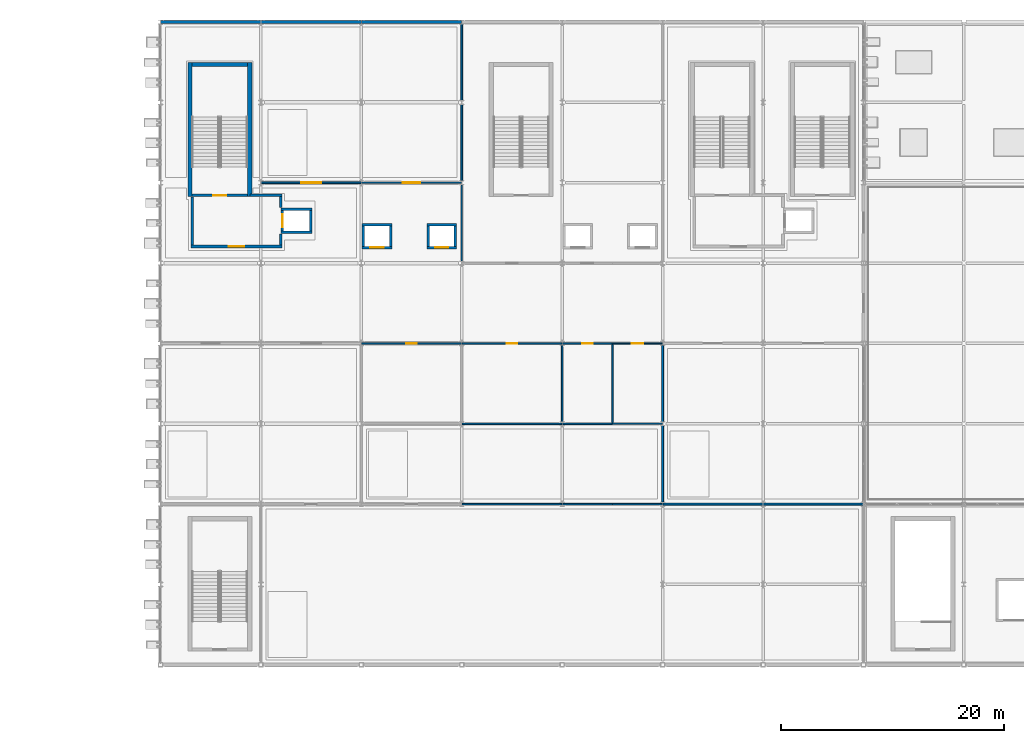
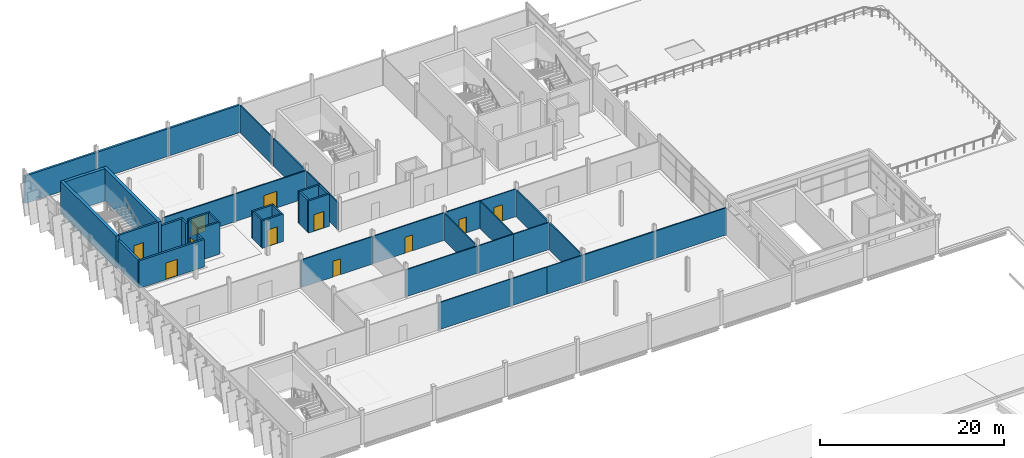
# One storey, part 66 of 78: 45 walls, 11 doors, 11 openings.
"""IFC4 building model written with IfcOpenShell, lengths in metres."""

from ifc_helpers import new_model, si_unit, direction, frame, frame_2d, origin, place, context, subcontext, project, spatial, rectangle, extrude, material, layer, layer_set, type_object, element, fill, save


model = new_model("IFC4")

# Units and contexts
model_context = context("Model", 3, precision=1e-05, world=origin(), true_north=direction((0.0, 1.0)))
body_context = subcontext(model_context, "Body", "Model", "MODEL_VIEW")
ifc_project = project(units=[si_unit("LENGTHUNIT", "METRE"), si_unit("AREAUNIT", "SQUARE_METRE"), si_unit("VOLUMEUNIT", "CUBIC_METRE"), si_unit("PLANEANGLEUNIT", "RADIAN"), si_unit("MASSUNIT", "GRAM", prefix="KILO")], contexts=[model_context])

# Site, building, storey
site_placement = place(None, origin())
site = spatial("IfcSite", under=ifc_project, at=site_placement, CompositionType="ELEMENT")
building_placement = place(site_placement, origin())
building = spatial("IfcBuilding", under=site, at=building_placement, Name="Celestram Park Convention Centre", CompositionType="ELEMENT")
storey_placement = place(building_placement, frame((0.0, 0.0, 19.800048828125)))
storey = spatial("IfcBuildingStorey", under=building, at=storey_placement, Name="L04", CompositionType="ELEMENT", Elevation=19.800048828125)

# Wall, opening, door
ifc_material_1 = material(Name="Concrete Block Masonry C25/30", Category="masonry")
ifc_layer_1 = layer(ifc_material_1, 0.25)
ifc_layer_set_1 = layer_set([ifc_layer_1], Name="Concrete Block Masonry C25/30")
wall_type_1 = type_object("IfcWallType", Name="ARC-WL-COR250", PredefinedType="STANDARD", material=ifc_layer_set_1)
wall_1_placement = place(storey_placement, frame((38.840087890625, 150.074951171875, 0.0), z_axis=(0.0, 0.0, 1.0), x_axis=(1.0, 0.0, 0.0)))
wall_1 = element("IfcWall", 1, at=wall_1_placement, inside=storey, type_object=wall_type_1, Name="Core C1 stair entrance wall", PredefinedType="STANDARD", context=body_context, shape_type="SweptSolid", body=[
    extrude(rectangle(XDim=4.9599609375, YDim=0.25, at=frame_2d((2.47998046875, 0.0))), origin(), (0.0, 0.0, 1.0), 4.25),
])
opening_1_placement = place(wall_1_placement, frame((1.905029296875, 0.0, 0.0)))
opening_1 = element("IfcOpeningElement", 2, at=opening_1_placement, cuts=wall_1, Name="Opening D-ST1", PredefinedType="OPENING", context=body_context, shape_type="SweptSolid", body=[
    extrude(rectangle(XDim=1.14990234375, YDim=2.199951171875, at=frame_2d((0.574951171875, 1.10009765625))), frame((0.0, 0.135009765625, 0.0), z_axis=(0.0, -1.0, 0.0), x_axis=(1.0, 0.0, 0.0)), (0.0, 0.0, 1.0), 0.27001953125),
])
ifc_material_2 = material(Name="Fire-Rated Hollow Metal Steel ASTM A653", Category="steel")
door_type_1 = type_object("IfcDoorType", Name="ARC-DR-ST115", OperationType="NOTDEFINED", PredefinedType="DOOR", material=ifc_material_2)
door_1_placement = place(opening_1_placement, origin())
door_1 = element("IfcDoor", 3, at=door_1_placement, inside=storey, type_object=door_type_1, Name="Exit stair ST-01 fire door", OperationType="SINGLE_SWING_RIGHT", OverallHeight=2.199951171875, OverallWidth=1.14990234375, PredefinedType="DOOR", context=body_context, shape_type="SweptSolid", body=[
    extrude(rectangle(XDim=1.14990234375, YDim=2.199951171875, at=frame_2d((0.574951171875, 1.10009765625))), frame((0.0, 0.02490234375, 0.0), z_axis=(0.0, -1.0, 0.0), x_axis=(1.0, 0.0, 0.0)), (0.0, 0.0, 1.0), 0.050048828125),
])
fill(opening_1, door_1)

# Wall
wall_2_placement = place(storey_placement, frame((38.840087890625, 149.93994140625, 0.0), z_axis=(0.0, 0.0, 1.0), x_axis=(0.0, -1.0, 0.0)))
element("IfcWall", 4, at=wall_2_placement, inside=storey, type_object=wall_type_1, Name="Firefighting Lift Lobby C1 W wall", PredefinedType="STANDARD", context=body_context, shape_type="SweptSolid", body=[
    extrude(rectangle(XDim=4.31494140625, YDim=0.25, at=frame_2d((2.157470703125, 0.0))), origin(), (0.0, 0.0, 1.0), 3.64794921875),
])

# Wall, opening, door
wall_3_placement = place(storey_placement, frame((38.715087890625, 145.5, 0.0), z_axis=(0.0, 0.0, 1.0), x_axis=(1.0, 0.0, 0.0)))
wall_3 = element("IfcWall", 5, at=wall_3_placement, inside=storey, type_object=wall_type_1, Name="Firefighting Lift Lobby C1 S wall", PredefinedType="STANDARD", context=body_context, shape_type="SweptSolid", body=[
    extrude(rectangle(XDim=8.18994140625, YDim=0.25, at=frame_2d((4.094970703125, 0.0))), origin(), (0.0, 0.0, 1.0), 3.64794921875),
])
opening_2_placement = place(wall_3_placement, frame((3.39501953125, 0.0, 0.0)))
opening_2 = element("IfcOpeningElement", 6, at=opening_2_placement, cuts=wall_3, Name="Opening D-LB1", PredefinedType="OPENING", context=body_context, shape_type="SweptSolid", body=[
    extrude(rectangle(XDim=1.39990234375, YDim=2.199951171875, at=frame_2d((0.699951171875, 1.10009765625))), frame((0.0, 0.135009765625, 0.0), z_axis=(0.0, -1.0, 0.0), x_axis=(1.0, 0.0, 0.0)), (0.0, 0.0, 1.0), 0.27001953125),
])
ifc_material_3 = material(Name="Fire-Rated Glazed Steel Frame", Category="steel")
door_type_2 = type_object("IfcDoorType", Name="ARC-DR-LB140", OperationType="NOTDEFINED", PredefinedType="DOOR", material=ifc_material_3)
door_2_placement = place(opening_2_placement, origin())
door_2 = element("IfcDoor", 7, at=door_2_placement, inside=storey, type_object=door_type_2, Name="Firefighting Lift Lobby C1 fire door", OperationType="SINGLE_SWING_RIGHT", OverallHeight=2.199951171875, OverallWidth=1.39990234375, PredefinedType="DOOR", context=body_context, shape_type="SweptSolid", body=[
    extrude(rectangle(XDim=1.39990234375, YDim=2.199951171875, at=frame_2d((0.699951171875, 1.10009765625))), frame((0.0, 0.02490234375, 0.0), z_axis=(0.0, -1.0, 0.0), x_axis=(1.0, 0.0, 0.0)), (0.0, 0.0, 1.0), 0.050048828125),
])
fill(opening_2, door_2)

# Walls
wall_4_placement = place(storey_placement, frame((46.780029296875, 145.625, 0.0), z_axis=(0.0, 0.0, 1.0), x_axis=(0.0, 1.0, 0.0)))
element("IfcWall", 8, at=wall_4_placement, inside=storey, type_object=wall_type_1, Name="Firefighting Lift Lobby C1 ES wall", PredefinedType="STANDARD", context=body_context, shape_type="SweptSolid", body=[
    extrude(rectangle(XDim=0.97509765625, YDim=0.25, at=frame_2d((0.487548828125, 0.0))), origin(), (0.0, 0.0, 1.0), 3.64794921875),
])
wall_5_placement = place(storey_placement, frame((46.780029296875, 149.0, 0.0), z_axis=(0.0, 0.0, 1.0), x_axis=(0.0, 1.0, 0.0)))
element("IfcWall", 9, at=wall_5_placement, inside=storey, type_object=wall_type_1, Name="Firefighting Lift Lobby C1 EN wall", PredefinedType="STANDARD", context=body_context, shape_type="SweptSolid", body=[
    extrude(rectangle(XDim=0.949951171875, YDim=0.25, at=frame_2d((0.47509765625, 0.0))), origin(), (0.0, 0.0, 1.0), 3.64794921875),
])
wall_6_placement = place(storey_placement, frame((44.0, 150.074951171875, 0.0), z_axis=(0.0, 0.0, 1.0), x_axis=(1.0, 0.0, 0.0)))
element("IfcWall", 10, at=wall_6_placement, inside=storey, type_object=wall_type_1, Name="Firefighting Lift Lobby C1 N wall", PredefinedType="STANDARD", context=body_context, shape_type="SweptSolid", body=[
    extrude(rectangle(XDim=2.905029296875, YDim=0.25, at=frame_2d((1.45263671875, 0.0))), origin(), (0.0, 0.0, 1.0), 3.64794921875),
])
ifc_material_4 = material(Name="Precast Concrete C40/50", Category="concrete")
ifc_layer_2 = layer(ifc_material_4, 0.260009765625)
ifc_layer_set_2 = layer_set([ifc_layer_2], Name="Precast Concrete C40/50")
wall_type_2 = type_object("IfcWallType", Name="ARC-WL-EXT260", PredefinedType="STANDARD", material=ifc_layer_set_2)
for number, where, z_axis, x_axis, name in (
    (11, (36.006103515625, 165.60009765625, 0.0), (0.0, 0.0, 1.0), (1.0, 0.0, 0.0), "Bush-hammered precast exterior wall WL-L04-EW226"),
    (12, (45.006103515625, 165.60009765625, 0.0), (0.0, 0.0, 1.0), (1.0, 0.0, 0.0), "Bush-hammered precast exterior wall WL-L04-EW227"),
    (13, (54.006103515625, 165.60009765625, 0.0), (0.0, 0.0, 1.0), (1.0, 0.0, 0.0), "Bush-hammered precast exterior wall WL-L04-EW228"),
):
    element("IfcWall", number, at=place(storey_placement, frame(where, z_axis=z_axis, x_axis=x_axis)), inside=storey, type_object=wall_type_2, Name=name, PredefinedType="STANDARD", context=body_context, shape_type="SweptSolid", body=[
        extrude(rectangle(XDim=8.98779296875, YDim=0.260009765625, at=frame_2d((4.493896484375, 0.0))), origin(), (0.0, 0.0, 1.0), 3.64794921875),
    ])
ifc_material_5 = material(Name="Standard Gypsum & Steel Stud 120 mm", Category="steel")
ifc_layer_3 = layer(ifc_material_5, 0.1201171875)
ifc_layer_set_3 = layer_set([ifc_layer_3], Name="Standard Gypsum & Steel Stud 120 mm")
wall_type_3 = type_object("IfcWallType", Name="ARC-WL-PRT120", PredefinedType="PARTITIONING", material=ifc_layer_set_3)
wall_7_placement = place(storey_placement, frame((63.006103515625, 122.39990234375, 0.0), z_axis=(0.0, 0.0, 1.0), x_axis=(1.0, 0.0, 0.0)))
element("IfcWall", 14, at=wall_7_placement, inside=storey, type_object=wall_type_3, Name="Interior partition WL-L04-IN0946", PredefinedType="PARTITIONING", context=body_context, shape_type="SweptSolid", body=[
    extrude(rectangle(XDim=8.989013671875, YDim=0.1201171875, at=frame_2d((4.49462890625, 0.0))), origin(), (0.0, 0.0, 1.0), 3.587890625),
])
for number, where, z_axis, x_axis, name in (
    (15, (72.0048828125, 122.39990234375, 0.0), (0.0, 0.0, 1.0), (1.0, 0.0, 0.0), "Interior partition WL-L04-IN0947"),
    (16, (76.5, 122.39990234375, 0.0), (0.0, 0.0, 1.0), (1.0, 0.0, 0.0), "Interior partition WL-L04-IN0948"),
    (17, (76.5, 129.60009765625, 0.0), (0.0, 0.0, 1.0), (1.0, 0.0, 0.0), "Interior partition WL-L04-IN0954"),
):
    element("IfcWall", number, at=place(storey_placement, frame(where, z_axis=z_axis, x_axis=x_axis)), inside=storey, type_object=wall_type_3, Name=name, PredefinedType="PARTITIONING", context=body_context, shape_type="SweptSolid", body=[
        extrude(rectangle(XDim=4.4951171875, YDim=0.1201171875, at=frame_2d((2.24755859375, 0.0))), origin(), (0.0, 0.0, 1.0), 3.587890625),
    ])

# Wall, opening, door
wall_8_placement = place(storey_placement, frame((76.5, 136.800048828125, 0.0), z_axis=(0.0, 0.0, 1.0), x_axis=(1.0, 0.0, 0.0)))
wall_8 = element("IfcWall", 18, at=wall_8_placement, inside=storey, type_object=wall_type_3, Name="Interior partition WL-L04-IN0960", PredefinedType="PARTITIONING", context=body_context, shape_type="SweptSolid", body=[
    extrude(rectangle(XDim=4.4951171875, YDim=0.1201171875, at=frame_2d((2.24755859375, 0.0))), origin(), (0.0, 0.0, 1.0), 3.64794921875),
])
opening_3_placement = place(wall_8_placement, frame((1.722412109375, 0.0, 0.0)))
opening_3 = element("IfcOpeningElement", 19, at=opening_3_placement, cuts=wall_8, Name="Opening D-06", PredefinedType="OPENING", context=body_context, shape_type="SweptSolid", body=[
    extrude(rectangle(XDim=1.050048828125, YDim=2.14990234375, at=frame_2d((0.52490234375, 1.074951171875))), frame((0.0, 0.070068359375, 0.0), z_axis=(0.0, -1.0, 0.0), x_axis=(1.0, 0.0, 0.0)), (0.0, 0.0, 1.0), 0.14013671875),
])
ifc_material_6 = material(Name="Solid Core White Oak Single Door", Category="wood")
door_type_3 = type_object("IfcDoorType", Name="ARC-DR-RM105", OperationType="NOTDEFINED", PredefinedType="DOOR", material=ifc_material_6)
door_3_placement = place(opening_3_placement, origin())
door_3 = element("IfcDoor", 20, at=door_3_placement, inside=storey, type_object=door_type_3, Name="Wellness & Nursing Suite L04 entrance door", OperationType="SINGLE_SWING_RIGHT", OverallHeight=2.14990234375, OverallWidth=1.050048828125, PredefinedType="DOOR", context=body_context, shape_type="SweptSolid", body=[
    extrude(rectangle(XDim=1.050048828125, YDim=2.14990234375, at=frame_2d((0.52490234375, 1.074951171875))), frame((0.0, 0.02490234375, 0.0), z_axis=(0.0, -1.0, 0.0), x_axis=(1.0, 0.0, 0.0)), (0.0, 0.0, 1.0), 0.050048828125),
])
fill(opening_3, door_3)

# Walls
wall_9_placement = place(storey_placement, frame((63.0, 144.1845703125, 0.0), z_axis=(0.0, 0.0, 1.0), x_axis=(0.0, 1.0, 0.0)))
element("IfcWall", 21, at=wall_9_placement, inside=storey, type_object=wall_type_3, Name="Interior partition WL-L04-IN0973", PredefinedType="PARTITIONING", context=body_context, shape_type="SweptSolid", body=[
    extrude(rectangle(XDim=6.830810546875, YDim=0.1201171875, at=frame_2d((3.41552734375, 0.0))), origin(), (0.0, 0.0, 1.0), 3.64794921875),
])
ifc_material_7 = material(Name="Moisture-Resistant Gypsum Partition 140 mm", Category="gypsum")
ifc_layer_4 = layer(ifc_material_7, 0.139892578125)
ifc_layer_set_4 = layer_set([ifc_layer_4], Name="Moisture-Resistant Gypsum Partition 140 mm")
wall_type_4 = type_object("IfcWallType", Name="ARC-WL-PRT140", PredefinedType="PARTITIONING", material=ifc_layer_set_4)
wall_10_placement = place(storey_placement, frame((63.006103515625, 129.60009765625, 0.0), z_axis=(0.0, 0.0, 1.0), x_axis=(1.0, 0.0, 0.0)))
element("IfcWall", 22, at=wall_10_placement, inside=storey, type_object=wall_type_4, Name="Interior partition WL-L04-IN0952", PredefinedType="PARTITIONING", context=body_context, shape_type="SweptSolid", body=[
    extrude(rectangle(XDim=8.989013671875, YDim=0.139892578125, at=frame_2d((4.49462890625, 0.0))), origin(), (0.0, 0.0, 1.0), 3.587890625),
])
wall_11_placement = place(storey_placement, frame((72.0048828125, 129.60009765625, 0.0), z_axis=(0.0, 0.0, 1.0), x_axis=(1.0, 0.0, 0.0)))
element("IfcWall", 23, at=wall_11_placement, inside=storey, type_object=wall_type_4, Name="Interior partition WL-L04-IN0953", PredefinedType="PARTITIONING", context=body_context, shape_type="SweptSolid", body=[
    extrude(rectangle(XDim=4.4951171875, YDim=0.139892578125, at=frame_2d((2.24755859375, 0.0))), origin(), (0.0, 0.0, 1.0), 3.587890625),
])

# Wall, opening, door
wall_12_placement = place(storey_placement, frame((54.006103515625, 136.800048828125, 0.0), z_axis=(0.0, 0.0, 1.0), x_axis=(1.0, 0.0, 0.0)))
wall_12 = element("IfcWall", 24, at=wall_12_placement, inside=storey, type_object=wall_type_4, Name="Interior partition WL-L04-IN0957", PredefinedType="PARTITIONING", context=body_context, shape_type="SweptSolid", body=[
    extrude(rectangle(XDim=8.98779296875, YDim=0.139892578125, at=frame_2d((4.493896484375, 0.0))), origin(), (0.0, 0.0, 1.0), 3.64794921875),
])
opening_4_placement = place(wall_12_placement, frame((4.018798828125, 0.0, 0.0)))
opening_4 = element("IfcOpeningElement", 25, at=opening_4_placement, cuts=wall_12, Name="Opening D-08", PredefinedType="OPENING", context=body_context, shape_type="SweptSolid", body=[
    extrude(rectangle(XDim=0.949951171875, YDim=2.10009765625, at=frame_2d((0.47509765625, 1.050048828125))), frame((0.0, 0.079833984375, 0.0), z_axis=(0.0, -1.0, 0.0), x_axis=(1.0, 0.0, 0.0)), (0.0, 0.0, 1.0), 0.159912109375),
])
ifc_material_8 = material(Name="Laminate Moisture-Resistant Restroom Door", Category="wood")
door_type_4 = type_object("IfcDoorType", Name="ARC-DR-WC095", OperationType="NOTDEFINED", PredefinedType="DOOR", material=ifc_material_8)
door_4_placement = place(opening_4_placement, origin())
door_4 = element("IfcDoor", 26, at=door_4_placement, inside=storey, type_object=door_type_4, Name="Men Restroom L04 entrance door", OperationType="SINGLE_SWING_LEFT", OverallHeight=2.10009765625, OverallWidth=0.949951171875, PredefinedType="DOOR", context=body_context, shape_type="SweptSolid", body=[
    extrude(rectangle(XDim=0.949951171875, YDim=2.10009765625, at=frame_2d((0.47509765625, 1.050048828125))), frame((0.0, 0.02490234375, 0.0), z_axis=(0.0, -1.0, 0.0), x_axis=(1.0, 0.0, 0.0)), (0.0, 0.0, 1.0), 0.050048828125),
])
fill(opening_4, door_4)

wall_13_placement = place(storey_placement, frame((63.006103515625, 136.800048828125, 0.0), z_axis=(0.0, 0.0, 1.0), x_axis=(1.0, 0.0, 0.0)))
wall_13 = element("IfcWall", 27, at=wall_13_placement, inside=storey, type_object=wall_type_4, Name="Interior partition WL-L04-IN0958", PredefinedType="PARTITIONING", context=body_context, shape_type="SweptSolid", body=[
    extrude(rectangle(XDim=8.989013671875, YDim=0.139892578125, at=frame_2d((4.49462890625, 0.0))), origin(), (0.0, 0.0, 1.0), 3.64794921875),
])
opening_5_placement = place(wall_13_placement, frame((4.019287109375, 0.0, 0.0)))
opening_5 = element("IfcOpeningElement", 28, at=opening_5_placement, cuts=wall_13, Name="Opening D-08", PredefinedType="OPENING", context=body_context, shape_type="SweptSolid", body=[
    extrude(rectangle(XDim=0.949951171875, YDim=2.10009765625, at=frame_2d((0.47509765625, 1.050048828125))), frame((0.0, 0.079833984375, 0.0), z_axis=(0.0, -1.0, 0.0), x_axis=(1.0, 0.0, 0.0)), (0.0, 0.0, 1.0), 0.159912109375),
])
door_5_placement = place(opening_5_placement, origin())
door_5 = element("IfcDoor", 29, at=door_5_placement, inside=storey, type_object=door_type_4, Name="Women Restroom L04 entrance door", OperationType="SINGLE_SWING_RIGHT", OverallHeight=2.10009765625, OverallWidth=0.949951171875, PredefinedType="DOOR", context=body_context, shape_type="SweptSolid", body=[
    extrude(rectangle(XDim=0.949951171875, YDim=2.10009765625, at=frame_2d((0.47509765625, 1.050048828125))), frame((0.0, 0.02490234375, 0.0), z_axis=(0.0, -1.0, 0.0), x_axis=(1.0, 0.0, 0.0)), (0.0, 0.0, 1.0), 0.050048828125),
])
fill(opening_5, door_5)

wall_14_placement = place(storey_placement, frame((72.0048828125, 136.800048828125, 0.0), z_axis=(0.0, 0.0, 1.0), x_axis=(1.0, 0.0, 0.0)))
wall_14 = element("IfcWall", 30, at=wall_14_placement, inside=storey, type_object=wall_type_4, Name="Interior partition WL-L04-IN0959", PredefinedType="PARTITIONING", context=body_context, shape_type="SweptSolid", body=[
    extrude(rectangle(XDim=4.4951171875, YDim=0.139892578125, at=frame_2d((2.24755859375, 0.0))), origin(), (0.0, 0.0, 1.0), 3.64794921875),
])
opening_6_placement = place(wall_14_placement, frame((1.7724609375, 0.0, 0.0)))
opening_6 = element("IfcOpeningElement", 31, at=opening_6_placement, cuts=wall_14, Name="Opening D-08", PredefinedType="OPENING", context=body_context, shape_type="SweptSolid", body=[
    extrude(rectangle(XDim=0.949951171875, YDim=2.10009765625, at=frame_2d((0.47509765625, 1.050048828125))), frame((0.0, 0.079833984375, 0.0), z_axis=(0.0, -1.0, 0.0), x_axis=(1.0, 0.0, 0.0)), (0.0, 0.0, 1.0), 0.159912109375),
])
door_6_placement = place(opening_6_placement, origin())
door_6 = element("IfcDoor", 32, at=door_6_placement, inside=storey, type_object=door_type_4, Name="Accessible Restroom L04 entrance door", OperationType="SINGLE_SWING_LEFT", OverallHeight=2.10009765625, OverallWidth=0.949951171875, PredefinedType="DOOR", context=body_context, shape_type="SweptSolid", body=[
    extrude(rectangle(XDim=0.949951171875, YDim=2.10009765625, at=frame_2d((0.47509765625, 1.050048828125))), frame((0.0, 0.02490234375, 0.0), z_axis=(0.0, -1.0, 0.0), x_axis=(1.0, 0.0, 0.0)), (0.0, 0.0, 1.0), 0.050048828125),
])
fill(opening_6, door_6)

# Walls
wall_15_placement = place(storey_placement, frame((72.0, 129.77587890625, 0.0), z_axis=(0.0, 0.0, 1.0), x_axis=(0.0, 1.0, 0.0)))
element("IfcWall", 33, at=wall_15_placement, inside=storey, type_object=wall_type_4, Name="Interior partition WL-L04-IN0976", PredefinedType="PARTITIONING", context=body_context, shape_type="SweptSolid", body=[
    extrude(rectangle(XDim=6.84814453125, YDim=0.139892578125, at=frame_2d((3.424072265625, 0.0))), origin(), (0.0, 0.0, 1.0), 3.587890625),
])
wall_16_placement = place(storey_placement, frame((76.5, 129.60009765625, 0.0), z_axis=(0.0, 0.0, 1.0), x_axis=(0.0, 1.0, 0.0)))
element("IfcWall", 34, at=wall_16_placement, inside=storey, type_object=wall_type_4, Name="Interior partition WL-L04-IN0977", PredefinedType="PARTITIONING", context=body_context, shape_type="SweptSolid", body=[
    extrude(rectangle(XDim=7.199951171875, YDim=0.139892578125, at=frame_2d((3.60009765625, 0.0))), origin(), (0.0, 0.0, 1.0), 3.587890625),
])
ifc_material_9 = material(Name="Acoustic Gypsum & Steel Stud 160 mm", Category="steel")
ifc_layer_5 = layer(ifc_material_9, 0.159912109375)
ifc_layer_set_5 = layer_set([ifc_layer_5], Name="Acoustic Gypsum & Steel Stud 160 mm")
wall_type_5 = type_object("IfcWallType", Name="ARC-WL-PRT160", PredefinedType="PARTITIONING", material=ifc_layer_set_5)
for number, where, z_axis, x_axis, name in (
    (35, (81.0048828125, 122.39990234375, 0.0), (0.0, 0.0, 1.0), (1.0, 0.0, 0.0), "Interior partition WL-L04-IN0949"),
    (36, (90.0048828125, 122.39990234375, 0.0), (0.0, 0.0, 1.0), (1.0, 0.0, 0.0), "Interior partition WL-L04-IN0950"),
):
    element("IfcWall", number, at=place(storey_placement, frame(where, z_axis=z_axis, x_axis=x_axis)), inside=storey, type_object=wall_type_5, Name=name, PredefinedType="PARTITIONING", context=body_context, shape_type="SweptSolid", body=[
        extrude(rectangle(XDim=8.990234375, YDim=0.159912109375, at=frame_2d((4.4951171875, 0.0))), origin(), (0.0, 0.0, 1.0), 3.587890625),
    ])

# Wall, opening, door
wall_17_placement = place(storey_placement, frame((45.006103515625, 151.199951171875, 0.0), z_axis=(0.0, 0.0, 1.0), x_axis=(1.0, 0.0, 0.0)))
wall_17 = element("IfcWall", 37, at=wall_17_placement, inside=storey, type_object=wall_type_5, Name="Interior partition WL-L04-IN0966", PredefinedType="PARTITIONING", context=body_context, shape_type="SweptSolid", body=[
    extrude(rectangle(XDim=8.98779296875, YDim=0.159912109375, at=frame_2d((4.493896484375, 0.0))), origin(), (0.0, 0.0, 1.0), 3.64794921875),
])
opening_7_placement = place(wall_17_placement, frame((3.59375, 0.0, 0.0)))
opening_7 = element("IfcOpeningElement", 38, at=opening_7_placement, cuts=wall_17, Name="Opening D-04", PredefinedType="OPENING", context=body_context, shape_type="SweptSolid", body=[
    extrude(rectangle(XDim=1.800048828125, YDim=2.25, at=frame_2d((0.89990234375, 1.125))), frame((0.0, 0.08984375, 0.0), z_axis=(0.0, -1.0, 0.0), x_axis=(1.0, 0.0, 0.0)), (0.0, 0.0, 1.0), 0.179931640625),
])
ifc_material_10 = material(Name="Solid White Oak Acoustic Double Door", Category="wood")
door_type_5 = type_object("IfcDoorType", Name="ARC-DR-MTG180", OperationType="NOTDEFINED", PredefinedType="DOOR", material=ifc_material_10)
door_7_placement = place(opening_7_placement, origin())
door_7 = element("IfcDoor", 39, at=door_7_placement, inside=storey, type_object=door_type_5, Name="Show Administration Office West entrance door", OperationType="DOUBLE_DOOR_SINGLE_SWING", OverallHeight=2.25, OverallWidth=1.800048828125, PredefinedType="DOOR", context=body_context, shape_type="SweptSolid", body=[
    extrude(rectangle(XDim=1.800048828125, YDim=2.25, at=frame_2d((0.89990234375, 1.125))), frame((0.0, 0.02490234375, 0.0), z_axis=(0.0, -1.0, 0.0), x_axis=(1.0, 0.0, 0.0)), (0.0, 0.0, 1.0), 0.050048828125),
])
fill(opening_7, door_7)

wall_18_placement = place(storey_placement, frame((54.006103515625, 151.199951171875, 0.0), z_axis=(0.0, 0.0, 1.0), x_axis=(1.0, 0.0, 0.0)))
wall_18 = element("IfcWall", 40, at=wall_18_placement, inside=storey, type_object=wall_type_5, Name="Interior partition WL-L04-IN0967", PredefinedType="PARTITIONING", context=body_context, shape_type="SweptSolid", body=[
    extrude(rectangle(XDim=8.98779296875, YDim=0.159912109375, at=frame_2d((4.493896484375, 0.0))), origin(), (0.0, 0.0, 1.0), 3.64794921875),
])
opening_8_placement = place(wall_18_placement, frame((3.69384765625, 0.0, 0.0)))
opening_8 = element("IfcOpeningElement", 41, at=opening_8_placement, cuts=wall_18, Name="Opening D-05", PredefinedType="OPENING", context=body_context, shape_type="SweptSolid", body=[
    extrude(rectangle(XDim=1.60009765625, YDim=2.199951171875, at=frame_2d((0.800048828125, 1.10009765625))), frame((0.0, 0.08984375, 0.0), z_axis=(0.0, -1.0, 0.0), x_axis=(1.0, 0.0, 0.0)), (0.0, 0.0, 1.0), 0.179931640625),
])
ifc_material_11 = material(Name="Solid White Oak Double Door", Category="wood")
door_type_6 = type_object("IfcDoorType", Name="ARC-DR-MTG160", OperationType="NOTDEFINED", PredefinedType="DOOR", material=ifc_material_11)
door_8_placement = place(opening_8_placement, origin())
door_8 = element("IfcDoor", 42, at=door_8_placement, inside=storey, type_object=door_type_6, Name="Show Administration Office West entrance door", OperationType="DOUBLE_DOOR_SINGLE_SWING", OverallHeight=2.199951171875, OverallWidth=1.60009765625, PredefinedType="DOOR", context=body_context, shape_type="SweptSolid", body=[
    extrude(rectangle(XDim=1.60009765625, YDim=2.199951171875, at=frame_2d((0.800048828125, 1.10009765625))), frame((0.0, 0.02490234375, 0.0), z_axis=(0.0, -1.0, 0.0), x_axis=(1.0, 0.0, 0.0)), (0.0, 0.0, 1.0), 0.050048828125),
])
fill(opening_8, door_8)

# Walls
for number, where, z_axis, x_axis, name in (
    (43, (63.0, 151.384521484375, 0.0), (0.0, 0.0, 1.0), (0.0, 1.0, 0.0), "Interior partition WL-L04-IN0974"),
    (44, (63.0, 158.58447265625, 0.0), (0.0, 0.0, 1.0), (0.0, 1.0, 0.0), "Interior partition WL-L04-IN0975"),
):
    element("IfcWall", number, at=place(storey_placement, frame(where, z_axis=z_axis, x_axis=x_axis)), inside=storey, type_object=wall_type_5, Name=name, PredefinedType="PARTITIONING", context=body_context, shape_type="SweptSolid", body=[
        extrude(rectangle(XDim=6.8310546875, YDim=0.159912109375, at=frame_2d((3.41552734375, 0.0))), origin(), (0.0, 0.0, 1.0), 3.64794921875),
    ])
for number, where, z_axis, x_axis, name in (
    (45, (81.0, 122.575927734375, 0.0), (0.0, 0.0, 1.0), (0.0, 1.0, 0.0), "Interior partition WL-L04-IN0978"),
    (46, (81.0, 129.77587890625, 0.0), (0.0, 0.0, 1.0), (0.0, 1.0, 0.0), "Interior partition WL-L04-IN0979"),
):
    element("IfcWall", number, at=place(storey_placement, frame(where, z_axis=z_axis, x_axis=x_axis)), inside=storey, type_object=wall_type_5, Name=name, PredefinedType="PARTITIONING", context=body_context, shape_type="SweptSolid", body=[
        extrude(rectangle(XDim=6.84814453125, YDim=0.159912109375, at=frame_2d((3.424072265625, 0.0))), origin(), (0.0, 0.0, 1.0), 3.587890625),
    ])
ifc_layer_6 = layer(ifc_material_1, 0.219970703125)
ifc_layer_set_6 = layer_set([ifc_layer_6], Name="Concrete Block Masonry C25/30")
wall_type_6 = type_object("IfcWallType", Name="ARC-WL-SHF220", PredefinedType="STANDARD", material=ifc_layer_set_6)
for number, where, z_axis, x_axis, name in (
    (47, (46.820068359375, 146.7548828125, 0.0), (0.0, 0.0, 1.0), (1.0, 0.0, 0.0), "Lift LF-01 shaft wall S"),
    (48, (49.580078125, 148.844970703125, 0.0), (0.0, 0.0, 1.0), (-1.0, 0.0, 0.0), "Lift LF-01 shaft wall N"),
):
    element("IfcWall", number, at=place(storey_placement, frame(where, z_axis=z_axis, x_axis=x_axis)), inside=storey, type_object=wall_type_6, Name=name, PredefinedType="STANDARD", context=body_context, shape_type="SweptSolid", body=[
        extrude(rectangle(XDim=2.760009765625, YDim=0.219970703125, at=frame_2d((1.3798828125, 0.0))), origin(), (0.0, 0.0, 1.0), 4.25),
    ])

# Wall, opening, door
wall_19_placement = place(storey_placement, frame((46.929931640625, 148.735107421875, 0.0), z_axis=(0.0, 0.0, 1.0), x_axis=(0.0, -1.0, 0.0)))
wall_19 = element("IfcWall", 49, at=wall_19_placement, inside=storey, type_object=wall_type_6, Name="Lift LF-01 shaft wall W", PredefinedType="STANDARD", context=body_context, shape_type="SweptSolid", body=[
    extrude(rectangle(XDim=1.8701171875, YDim=0.219970703125, at=frame_2d((0.93505859375, 0.0))), origin(), (0.0, 0.0, 1.0), 4.25),
])
opening_9_placement = place(wall_19_placement, frame((0.3349609375, 0.0, 0.0)))
opening_9 = element("IfcOpeningElement", 50, at=opening_9_placement, cuts=wall_19, Name="Opening LD-01", PredefinedType="OPENING", context=body_context, shape_type="SweptSolid", body=[
    extrude(rectangle(XDim=1.199951171875, YDim=2.199951171875, at=frame_2d((0.60009765625, 1.10009765625))), frame((0.0, 0.119873046875, 0.0), z_axis=(0.0, -1.0, 0.0), x_axis=(1.0, 0.0, 0.0)), (0.0, 0.0, 1.0), 0.239990234375),
])
ifc_material_12 = material(Name="Brushed Stainless Steel AISI 304", Category="steel")
door_type_7 = type_object("IfcDoorType", Name="ARC-DR-LFT120", OperationType="NOTDEFINED", PredefinedType="DOOR", material=ifc_material_12)
door_9_placement = place(opening_9_placement, origin())
door_9 = element("IfcDoor", 51, at=door_9_placement, inside=storey, type_object=door_type_7, Name="Lift LF-01 sliding landing door", OperationType="DOUBLE_DOOR_SLIDING", OverallHeight=2.199951171875, OverallWidth=1.199951171875, PredefinedType="DOOR", context=body_context, shape_type="SweptSolid", body=[
    extrude(rectangle(XDim=1.199951171875, YDim=2.199951171875, at=frame_2d((0.60009765625, 1.10009765625))), frame((0.0, 0.02490234375, 0.0), z_axis=(0.0, -1.0, 0.0), x_axis=(1.0, 0.0, 0.0)), (0.0, 0.0, 1.0), 0.050048828125),
])
fill(opening_9, door_9)

# Wall
wall_20_placement = place(storey_placement, frame((49.469970703125, 146.864990234375, 0.0), z_axis=(0.0, 0.0, 1.0), x_axis=(0.0, 1.0, 0.0)))
element("IfcWall", 52, at=wall_20_placement, inside=storey, type_object=wall_type_6, Name="Lift LF-01 shaft wall E", PredefinedType="STANDARD", context=body_context, shape_type="SweptSolid", body=[
    extrude(rectangle(XDim=1.8701171875, YDim=0.219970703125, at=frame_2d((0.93505859375, 0.0))), origin(), (0.0, 0.0, 1.0), 4.25),
])

# Wall, opening, door
wall_21_placement = place(storey_placement, frame((54.070068359375, 145.3798828125, 0.0), z_axis=(0.0, 0.0, 1.0), x_axis=(1.0, 0.0, 0.0)))
wall_21 = element("IfcWall", 53, at=wall_21_placement, inside=storey, type_object=wall_type_6, Name="Lift LP-01 shaft wall S", PredefinedType="STANDARD", context=body_context, shape_type="SweptSolid", body=[
    extrude(rectangle(XDim=2.659912109375, YDim=0.219970703125, at=frame_2d((1.330078125, 0.0))), origin(), (0.0, 0.0, 1.0), 3.64794921875),
])
opening_10_placement = place(wall_21_placement, frame((0.72998046875, 0.0, 0.0)))
opening_10 = element("IfcOpeningElement", 54, at=opening_10_placement, cuts=wall_21, Name="Opening LD-01", PredefinedType="OPENING", context=body_context, shape_type="SweptSolid", body=[
    extrude(rectangle(XDim=1.199951171875, YDim=2.199951171875, at=frame_2d((0.60009765625, 1.10009765625))), frame((0.0, 0.119873046875, 0.0), z_axis=(0.0, -1.0, 0.0), x_axis=(1.0, 0.0, 0.0)), (0.0, 0.0, 1.0), 0.239990234375),
])
door_10_placement = place(opening_10_placement, origin())
door_10 = element("IfcDoor", 55, at=door_10_placement, inside=storey, type_object=door_type_7, Name="Lift LP-01 sliding landing door", OperationType="DOUBLE_DOOR_SLIDING", OverallHeight=2.199951171875, OverallWidth=1.199951171875, PredefinedType="DOOR", context=body_context, shape_type="SweptSolid", body=[
    extrude(rectangle(XDim=1.199951171875, YDim=2.199951171875, at=frame_2d((0.60009765625, 1.10009765625))), frame((0.0, 0.02490234375, 0.0), z_axis=(0.0, -1.0, 0.0), x_axis=(1.0, 0.0, 0.0)), (0.0, 0.0, 1.0), 0.050048828125),
])
fill(opening_10, door_10)

# Walls
wall_22_placement = place(storey_placement, frame((56.72998046875, 147.419921875, 0.0), z_axis=(0.0, 0.0, 1.0), x_axis=(-1.0, 0.0, 0.0)))
element("IfcWall", 56, at=wall_22_placement, inside=storey, type_object=wall_type_6, Name="Lift LP-01 shaft wall N", PredefinedType="STANDARD", context=body_context, shape_type="SweptSolid", body=[
    extrude(rectangle(XDim=2.659912109375, YDim=0.219970703125, at=frame_2d((1.330078125, 0.0))), origin(), (0.0, 0.0, 1.0), 3.64794921875),
])
for number, where, z_axis, x_axis, name in (
    (57, (54.179931640625, 147.31005859375, 0.0), (0.0, 0.0, 1.0), (0.0, -1.0, 0.0), "Lift LP-01 shaft wall W"),
    (58, (56.6201171875, 145.489990234375, 0.0), (0.0, 0.0, 1.0), (0.0, 1.0, 0.0), "Lift LP-01 shaft wall E"),
):
    element("IfcWall", number, at=place(storey_placement, frame(where, z_axis=z_axis, x_axis=x_axis)), inside=storey, type_object=wall_type_6, Name=name, PredefinedType="STANDARD", context=body_context, shape_type="SweptSolid", body=[
        extrude(rectangle(XDim=1.820068359375, YDim=0.219970703125, at=frame_2d((0.91015625, 0.0))), origin(), (0.0, 0.0, 1.0), 3.64794921875),
    ])

# Wall, opening, door
wall_23_placement = place(storey_placement, frame((59.8701171875, 145.3798828125, 0.0), z_axis=(0.0, 0.0, 1.0), x_axis=(1.0, 0.0, 0.0)))
wall_23 = element("IfcWall", 59, at=wall_23_placement, inside=storey, type_object=wall_type_6, Name="Lift LP-02 shaft wall S", PredefinedType="STANDARD", context=body_context, shape_type="SweptSolid", body=[
    extrude(rectangle(XDim=2.659912109375, YDim=0.219970703125, at=frame_2d((1.330078125, 0.0))), origin(), (0.0, 0.0, 1.0), 4.25),
])
opening_11_placement = place(wall_23_placement, frame((0.72998046875, 0.0, 0.0)))
opening_11 = element("IfcOpeningElement", 60, at=opening_11_placement, cuts=wall_23, Name="Opening LD-01", PredefinedType="OPENING", context=body_context, shape_type="SweptSolid", body=[
    extrude(rectangle(XDim=1.199951171875, YDim=2.199951171875, at=frame_2d((0.60009765625, 1.10009765625))), frame((0.0, 0.119873046875, 0.0), z_axis=(0.0, -1.0, 0.0), x_axis=(1.0, 0.0, 0.0)), (0.0, 0.0, 1.0), 0.239990234375),
])
door_11_placement = place(opening_11_placement, origin())
door_11 = element("IfcDoor", 61, at=door_11_placement, inside=storey, type_object=door_type_7, Name="Lift LP-02 sliding landing door", OperationType="DOUBLE_DOOR_SLIDING", OverallHeight=2.199951171875, OverallWidth=1.199951171875, PredefinedType="DOOR", context=body_context, shape_type="SweptSolid", body=[
    extrude(rectangle(XDim=1.199951171875, YDim=2.199951171875, at=frame_2d((0.60009765625, 1.10009765625))), frame((0.0, 0.02490234375, 0.0), z_axis=(0.0, -1.0, 0.0), x_axis=(1.0, 0.0, 0.0)), (0.0, 0.0, 1.0), 0.050048828125),
])
fill(opening_11, door_11)

# Walls
wall_24_placement = place(storey_placement, frame((62.530029296875, 147.419921875, 0.0), z_axis=(0.0, 0.0, 1.0), x_axis=(-1.0, 0.0, 0.0)))
element("IfcWall", 62, at=wall_24_placement, inside=storey, type_object=wall_type_6, Name="Lift LP-02 shaft wall N", PredefinedType="STANDARD", context=body_context, shape_type="SweptSolid", body=[
    extrude(rectangle(XDim=2.659912109375, YDim=0.219970703125, at=frame_2d((1.330078125, 0.0))), origin(), (0.0, 0.0, 1.0), 4.25),
])
for number, where, z_axis, x_axis, name in (
    (63, (59.97998046875, 147.31005859375, 0.0), (0.0, 0.0, 1.0), (0.0, -1.0, 0.0), "Lift LP-02 shaft wall W"),
    (64, (62.419921875, 145.489990234375, 0.0), (0.0, 0.0, 1.0), (0.0, 1.0, 0.0), "Lift LP-02 shaft wall E"),
):
    element("IfcWall", number, at=place(storey_placement, frame(where, z_axis=z_axis, x_axis=x_axis)), inside=storey, type_object=wall_type_6, Name=name, PredefinedType="STANDARD", context=body_context, shape_type="SweptSolid", body=[
        extrude(rectangle(XDim=1.820068359375, YDim=0.219970703125, at=frame_2d((0.91015625, 0.0))), origin(), (0.0, 0.0, 1.0), 4.25),
    ])
ifc_material_13 = material(Name="Concrete C40/50", Category="concrete")
ifc_layer_7 = layer(ifc_material_13, 0.3798828125)
ifc_layer_set_7 = layer_set([ifc_layer_7], Name="Concrete C40/50")
wall_type_7 = type_object("IfcWallType", Name="STR-WL-SHR380", PredefinedType="SHEAR", material=ifc_layer_set_7)
for number, where, z_axis, x_axis, name in (
    (65, (38.64990234375, 149.949951171875, 0.0), (0.0, 0.0, 1.0), (0.0, 1.0, 0.0), "Core C1 shear wall L"),
    (66, (43.989990234375, 161.97998046875, 0.0), (0.0, 0.0, 1.0), (0.0, -1.0, 0.0), "Core C1 shear wall R"),
):
    element("IfcWall", number, at=place(storey_placement, frame(where, z_axis=z_axis, x_axis=x_axis)), inside=storey, type_object=wall_type_7, Name=name, PredefinedType="SHEAR", context=body_context, shape_type="SweptSolid", body=[
        extrude(rectangle(XDim=12.030029296875, YDim=0.3798828125, at=frame_2d((6.01513671875, 0.0))), origin(), (0.0, 0.0, 1.0), 4.260009765625),
    ])
wall_25_placement = place(storey_placement, frame((38.840087890625, 161.7900390625, 0.0), z_axis=(0.0, 0.0, 1.0), x_axis=(1.0, 0.0, 0.0)))
element("IfcWall", 67, at=wall_25_placement, inside=storey, type_object=wall_type_7, Name="Core C1 shear wall F", PredefinedType="SHEAR", context=body_context, shape_type="SweptSolid", body=[
    extrude(rectangle(XDim=4.9599609375, YDim=0.3798828125, at=frame_2d((2.47998046875, 0.0))), origin(), (0.0, 0.0, 1.0), 4.260009765625),
])

save(model, "model.ifc")
